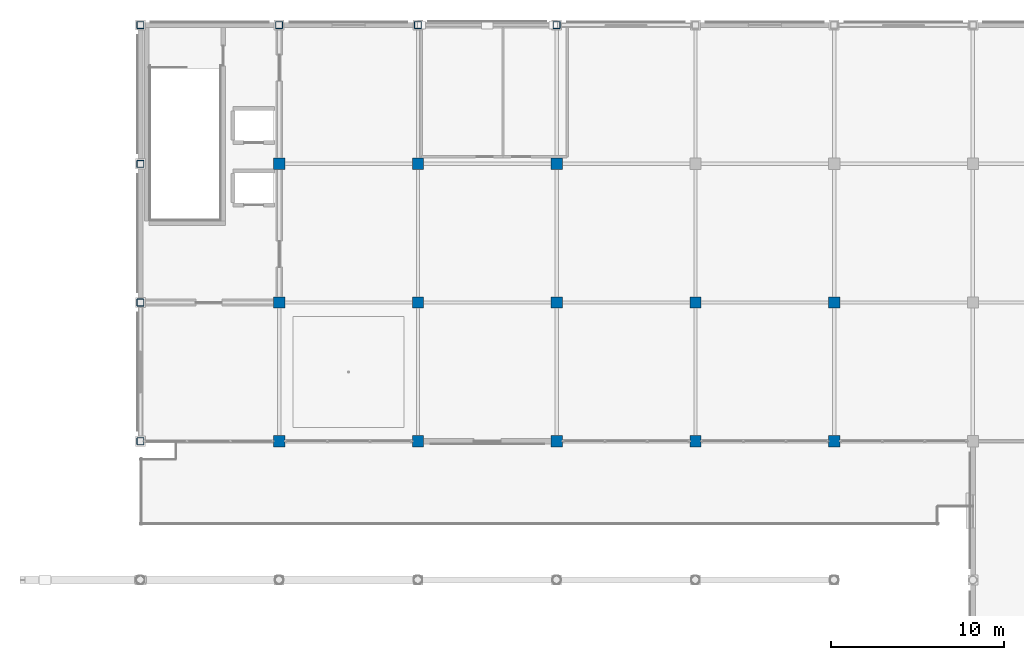
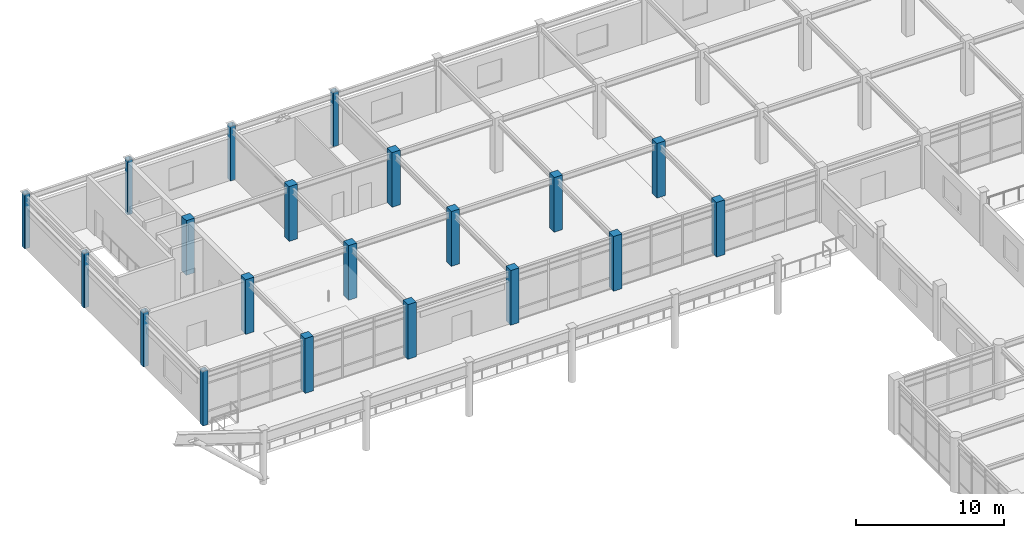
# One storey, part 9 of 78: 20 columns.
"""IFC4 building model written with IfcOpenShell, lengths in metres."""

from ifc_helpers import new_model, si_unit, direction, frame, origin, origin_2d, place, context, subcontext, project, spatial, rectangle, hollow_rectangle, extrude, material, material_profile, profile_set, type_object, element, save


model = new_model("IFC4")

# Units and contexts
model_context = context("Model", 3, precision=1e-05, world=origin(), true_north=direction((0.0, 1.0)))
body_context = subcontext(model_context, "Body", "Model", "MODEL_VIEW")
ifc_project = project(units=[si_unit("LENGTHUNIT", "METRE"), si_unit("AREAUNIT", "SQUARE_METRE"), si_unit("VOLUMEUNIT", "CUBIC_METRE"), si_unit("PLANEANGLEUNIT", "RADIAN"), si_unit("MASSUNIT", "GRAM", prefix="KILO")], contexts=[model_context])

# Site, building, storey
site_placement = place(None, origin())
site = spatial("IfcSite", under=ifc_project, at=site_placement, CompositionType="ELEMENT")
building_placement = place(site_placement, origin())
building = spatial("IfcBuilding", under=site, at=building_placement, Name="Solmirada Galleria", CompositionType="ELEMENT")
storey_placement = place(building_placement, frame((0.0, 0.0, 23.89990234375)))
storey = spatial("IfcBuildingStorey", under=building, at=storey_placement, Name="L05", CompositionType="ELEMENT", Elevation=23.89990234375)

# Columns
ifc_material_1 = material(Name="Steel S355 / ASTM A500 Grade C", Category="steel")
ifc_material_profile_1 = material_profile(ifc_material_1, hollow_rectangle(XDim=0.406005859375, YDim=0.406005859375, WallThickness=0.0146484375, InnerFilletRadius=0.0146484375, OuterFilletRadius=0.029296875, at=origin_2d()), Name="HSS16X16X5/8")
ifc_profile_set_1 = profile_set([ifc_material_profile_1], Name="Steel S355 / ASTM A500 Grade C")
column_type_1 = type_object("IfcColumnType", Name="COL-HSS16", PredefinedType="COLUMN", material=ifc_profile_set_1)
for number, where, z_axis, x_axis, name in (
    (1, (40.0, 96.0, 0.0), (0.0, 0.0, 1.0), (1.0, 0.0, 0.0), "Structural column L05-0058"),
    (2, (40.0, 104.0, 0.0), (0.0, 0.0, 1.0), (1.0, 0.0, 0.0), "Structural column L05-0065"),
    (3, (40.0, 112.0, 0.0), (0.0, 0.0, 1.0), (1.0, 0.0, 0.0), "Structural column L05-0072"),
    (4, (40.0, 120.0, 0.0), (0.0, 0.0, 1.0), (1.0, 0.0, 0.0), "Structural column L05-0079"),
    (5, (48.0, 120.0, 0.0), (0.0, 0.0, 1.0), (1.0, 0.0, 0.0), "Structural column L05-0146"),
    (6, (56.0, 120.0, 0.0), (0.0, 0.0, 1.0), (1.0, 0.0, 0.0), "Structural column L05-0213"),
    (7, (64.0, 120.0, 0.0), (0.0, 0.0, 1.0), (1.0, 0.0, 0.0), "Structural column L05-0277"),
):
    element("IfcColumn", number, at=place(storey_placement, frame(where, z_axis=z_axis, x_axis=x_axis)), inside=storey, type_object=column_type_1, Name=name, PredefinedType="COLUMN", context=body_context, shape_type="SweptSolid", body=[
        extrude(hollow_rectangle(XDim=0.406005859375, YDim=0.406005859375, WallThickness=0.0146484375, InnerFilletRadius=0.0146484375, OuterFilletRadius=0.029296875, at=origin_2d()), origin(), (0.0, 0.0, 1.0), 4.5),
    ])
ifc_material_2 = material(Name="Concrete C40/50", Category="concrete")
ifc_material_profile_2 = material_profile(ifc_material_2, rectangle(XDim=0.64990234375, YDim=0.64990234375, at=origin_2d()), Name="RC650X650")
ifc_profile_set_2 = profile_set([ifc_material_profile_2], Name="Concrete C40/50")
column_type_2 = type_object("IfcColumnType", Name="COL-RC650", PredefinedType="COLUMN", material=ifc_profile_set_2)
for number, where, z_axis, x_axis, name in (
    (8, (48.0, 96.0, 0.0), (0.0, 0.0, 1.0), (1.0, 0.0, 0.0), "Structural column L05-0125"),
    (9, (48.0, 104.0, 0.0), (0.0, 0.0, 1.0), (1.0, 0.0, 0.0), "Structural column L05-0132"),
    (10, (48.0, 112.0, 0.0), (0.0, 0.0, 1.0), (1.0, 0.0, 0.0), "Structural column L05-0139"),
    (11, (56.0, 96.0, 0.0), (0.0, 0.0, 1.0), (1.0, 0.0, 0.0), "Structural column L05-0192"),
    (12, (56.0, 104.0, 0.0), (0.0, 0.0, 1.0), (1.0, 0.0, 0.0), "Structural column L05-0199"),
    (13, (56.0, 112.0, 0.0), (0.0, 0.0, 1.0), (1.0, 0.0, 0.0), "Structural column L05-0206"),
    (14, (64.0, 96.0, 0.0), (0.0, 0.0, 1.0), (1.0, 0.0, 0.0), "Structural column L05-0256"),
    (15, (64.0, 104.0, 0.0), (0.0, 0.0, 1.0), (1.0, 0.0, 0.0), "Structural column L05-0263"),
    (16, (64.0, 112.0, 0.0), (0.0, 0.0, 1.0), (1.0, 0.0, 0.0), "Structural column L05-0270"),
    (17, (72.0, 96.0, 0.0), (0.0, 0.0, 1.0), (1.0, 0.0, 0.0), "Structural column L05-0323"),
    (18, (72.0, 104.0, 0.0), (0.0, 0.0, 1.0), (1.0, 0.0, 0.0), "Structural column L05-0330"),
    (19, (80.0, 96.0, 0.0), (0.0, 0.0, 1.0), (1.0, 0.0, 0.0), "Structural column L05-0440"),
    (20, (80.0, 104.0, 0.0), (0.0, 0.0, 1.0), (1.0, 0.0, 0.0), "Structural column L05-0447"),
):
    element("IfcColumn", number, at=place(storey_placement, frame(where, z_axis=z_axis, x_axis=x_axis)), inside=storey, type_object=column_type_2, Name=name, PredefinedType="COLUMN", context=body_context, shape_type="SweptSolid", body=[
        extrude(rectangle(XDim=0.64990234375, YDim=0.64990234375, at=origin_2d()), origin(), (0.0, 0.0, 1.0), 4.5),
    ])

save(model, "model.ifc")
